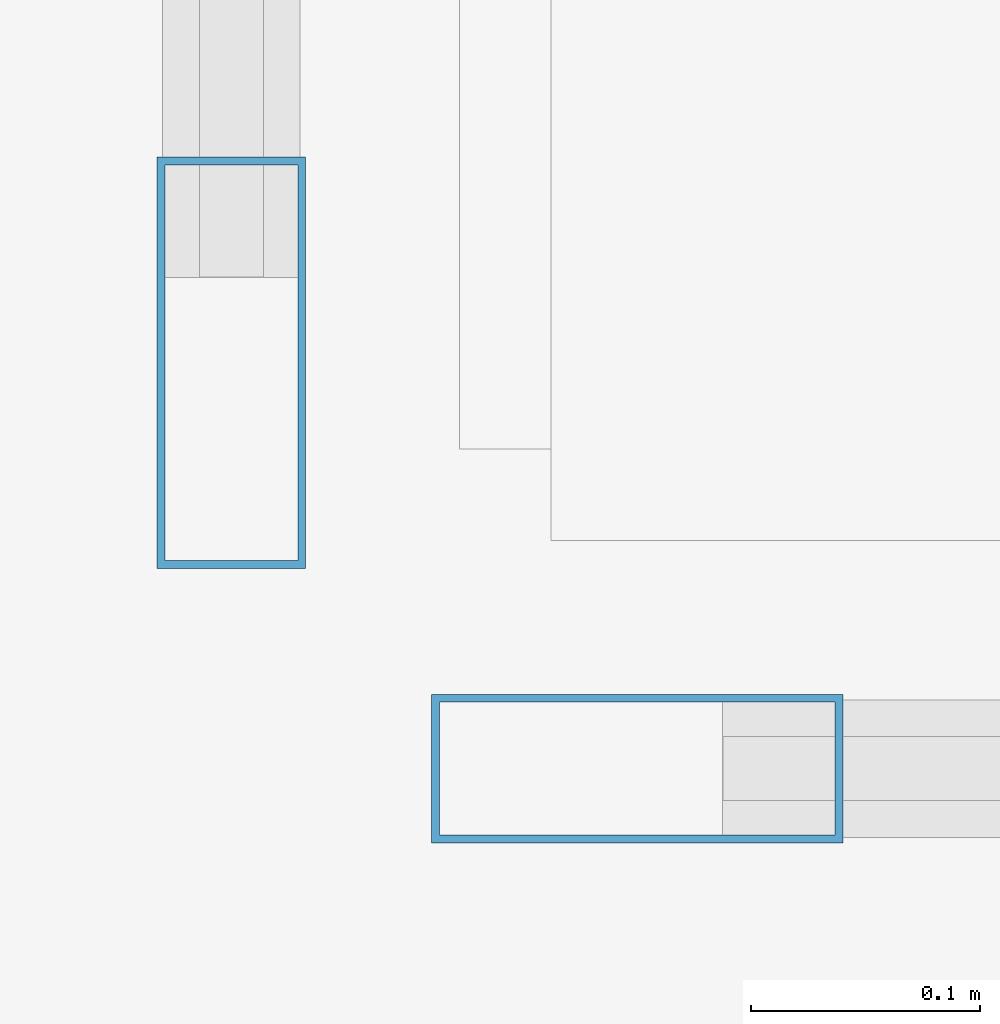
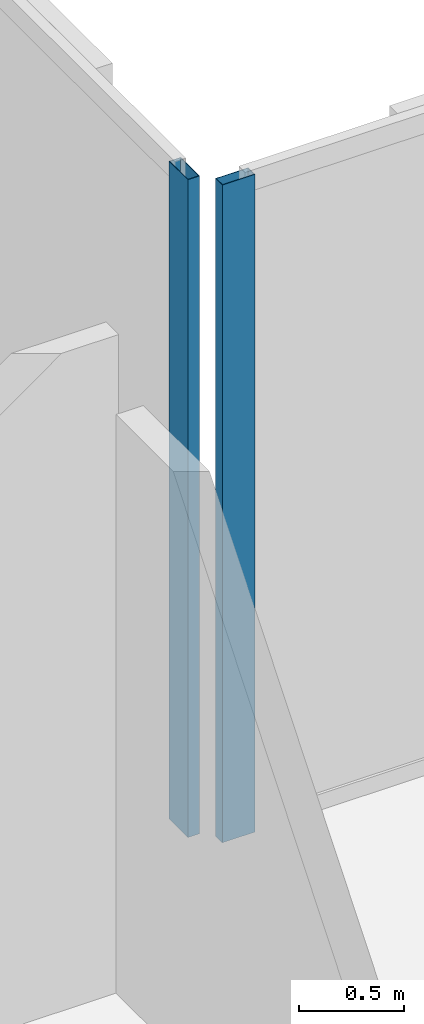
# One storey, part 19 of 29: 2 members, 2 elements without a shape of their own.
"""IFC4 building model written with IfcOpenShell, lengths in metres."""

import ifcopenshell
import ifcopenshell.guid

model = None  # the IFC model being written
_history = None  # IfcOwnerHistory: only IFC2X3 demands one
_inside = {}  # id of a spatial element -> (the spatial element, [elements in it])
_under = {}  # id of a project, library or spatial element -> (it, [spatial elements below it])
_declared = {}  # id of a project -> (the project, [libraries it declares])
_typed = {}  # id of a type object -> (the type object, [elements of that type])
_made_of = {}  # id of a material, layer set ... -> (it, [elements and type objects made of it])


def new_model(schema):
    """Start an empty IFC model of exactly this schema.

    Asked for "IFC4X3", IfcOpenShell would pick the latest addendum, in which some entities
    have other attributes; the version numbers below select the first issue.
    IFC2X3 requires an IfcOwnerHistory on every rooted entity: one is made here for all.
    """
    global model, _history
    if schema == "IFC4X3":
        model = ifcopenshell.file(schema_version=(4, 3, 0, 0))
    else:
        model = ifcopenshell.file(schema=schema)
    _inside.clear()
    _under.clear()
    _declared.clear()
    _typed.clear()
    _made_of.clear()
    _history = None
    if model.schema == "IFC2X3":
        org = make("IfcOrganization", Name="unknown")
        user = make(
            "IfcPersonAndOrganization",
            ThePerson=make("IfcPerson", FamilyName="unknown"),
            TheOrganization=org,
        )
        app = make(
            "IfcApplication",
            ApplicationDeveloper=org,
            Version="unknown",
            ApplicationFullName="unknown",
            ApplicationIdentifier="unknown",
        )
        _history = make(
            "IfcOwnerHistory",
            OwningUser=user,
            OwningApplication=app,
            ChangeAction="ADDED",
            CreationDate=0,
        )
    return model


def make(cls, **values):
    """One entity of the class cls with the attributes given. An attribute that is None is left unset."""
    return model.create_entity(
        cls, **{name: value for name, value in values.items() if value is not None}
    )


def rooted(cls, **values):
    """An entity with a GlobalId (a new one), such as an element, a storey or a relation."""
    return make(cls, GlobalId=ifcopenshell.guid.new(), OwnerHistory=_history, **values)


def si_unit(unit_type, name, prefix=None):
    """IfcSIUnit, for example si_unit("LENGTHUNIT", "METRE", prefix="MILLI")."""
    return make("IfcSIUnit", UnitType=unit_type, Prefix=prefix, Name=name)


def assignment(units):
    """IfcUnitAssignment: the units of a project."""
    return None if units is None else make("IfcUnitAssignment", Units=units)


def point(xyz):
    """IfcCartesianPoint."""
    return None if xyz is None else make("IfcCartesianPoint", Coordinates=xyz)


def direction(xyz):
    """IfcDirection."""
    return None if xyz is None else make("IfcDirection", DirectionRatios=xyz)


def frame(location, z_axis=None, x_axis=None):
    """IfcAxis2Placement3D, a coordinate frame: its origin and axes. An axis left out is left unset."""
    return make(
        "IfcAxis2Placement3D",
        Location=point(location),
        Axis=direction(z_axis),
        RefDirection=direction(x_axis),
    )


def frame_2d(location, x_axis=None):
    """IfcAxis2Placement2D, a coordinate frame in the plane: its origin and x axis."""
    return make(
        "IfcAxis2Placement2D", Location=point(location), RefDirection=direction(x_axis)
    )


def origin():
    """The frame at (0, 0, 0) with its axes left unset."""
    return frame((0.0, 0.0, 0.0))


def origin_2d():
    """The frame at (0, 0) in the plane with its x axis left unset."""
    return frame_2d((0.0, 0.0))


def place(relative_to, where):
    """IfcLocalPlacement: puts the frame where relative to a parent placement (None: the world)."""
    return make(
        "IfcLocalPlacement", PlacementRelTo=relative_to, RelativePlacement=where
    )


def context(
    kind, dimensions, precision=None, world=None, true_north=None, identifier=None
):
    """IfcGeometricRepresentationContext, for example the 3D "Model" context."""
    return make(
        "IfcGeometricRepresentationContext",
        ContextIdentifier=identifier,
        ContextType=kind,
        CoordinateSpaceDimension=dimensions,
        Precision=precision,
        WorldCoordinateSystem=world,
        TrueNorth=true_north,
    )


def subcontext(parent, identifier, kind, view, scale=None):
    """IfcGeometricRepresentationSubContext, for example "Body" below "Model"."""
    return make(
        "IfcGeometricRepresentationSubContext",
        ContextIdentifier=identifier,
        ContextType=kind,
        ParentContext=parent,
        TargetScale=scale,
        TargetView=view,
    )


def project(units=None, contexts=None):
    """IfcProject with its units and contexts."""
    return rooted(
        "IfcProject",
        Name="project",
        RepresentationContexts=contexts,
        UnitsInContext=assignment(units),
    )


def spatial(cls, under=None, at=None, **own):
    """A site, building, storey or space (cls), placed at a placement, below another one or the project."""
    s = rooted(cls, ObjectPlacement=at, **own)
    if under is not None:
        _under.setdefault(under.id(), (under, []))[1].append(s)
    return s


def profile(cls, at=None, kind="AREA", **sizes):
    """A parametric profile (cls). Its sizes go by their IFC names, for example OverallWidth=200.0."""
    return make(cls, ProfileType=kind, Position=at, **sizes)


def hollow_rectangle(**sizes):
    """IfcRectangleHollowProfileDef."""
    return profile("IfcRectangleHollowProfileDef", **sizes)


def extrude(swept, where, along, depth):
    """IfcExtrudedAreaSolid: the profile swept, set in the frame where, extruded along a direction by depth."""
    return make(
        "IfcExtrudedAreaSolid",
        SweptArea=swept,
        Position=where,
        ExtrudedDirection=direction(along),
        Depth=depth,
    )


def shape(context_of_items, identifier, shape_type, items):
    """IfcShapeRepresentation: the items that make up one representation, for example the "Body"."""
    return make(
        "IfcShapeRepresentation",
        ContextOfItems=context_of_items,
        RepresentationIdentifier=identifier,
        RepresentationType=shape_type,
        Items=items,
    )


def material(Name=None, Category=None):
    """IfcMaterial."""
    return make("IfcMaterial", Name=Name, Category=Category)


def layer(
    of_material, thickness, ventilated=None, Name=None, Category=None, Priority=None
):
    """IfcMaterialLayer: one layer of a wall or slab, of a material (None: an air gap)."""
    return make(
        "IfcMaterialLayer",
        Material=of_material,
        LayerThickness=thickness,
        IsVentilated=ventilated,
        Name=Name,
        Category=Category,
        Priority=Priority,
    )


def layer_set(layers, Name=None):
    """IfcMaterialLayerSet."""
    return make("IfcMaterialLayerSet", MaterialLayers=layers, LayerSetName=Name)


def material_profile(
    of_material, cross_section, Name=None, Category=None, Priority=None
):
    """IfcMaterialProfile: a cross section and its material."""
    return make(
        "IfcMaterialProfile",
        Name=Name,
        Material=of_material,
        Profile=cross_section,
        Priority=Priority,
        Category=Category,
    )


def profile_set(profiles, Name=None, composite=None):
    """IfcMaterialProfileSet."""
    return make(
        "IfcMaterialProfileSet",
        Name=Name,
        MaterialProfiles=profiles,
        CompositeProfile=composite,
    )


def made_of(thing, what):
    """Note that an element or type object is made of a material, layer set ...; save() writes the relation."""
    if what is not None:
        _made_of.setdefault(what.id(), (what, []))[1].append(thing)
    return thing


def type_object(cls, material=None, **own):
    """A type object (cls), such as IfcWallType, which elements share."""
    return made_of(rooted(cls, **own), material)


def element(
    cls,
    number,
    at=None,
    inside=None,
    cuts=None,
    type_object=None,
    material=None,
    context=None,
    identifier="Body",
    shape_type=None,
    held_by="IfcProductDefinitionShape",
    body=None,
    shapes=None,
    **own,
):
    """One element of the class cls, such as IfcWall. Its Tag is "e" and its number.

    at: its placement. inside: the storey or other place that contains it. cuts: it is an
    opening in that element (IfcRelVoidsElement). A single representation is given by context,
    identifier, shape_type and body (its items); several are given by shapes. held_by: the class
    of the entity that holds the representations. save() writes the other relations.
    """
    e = rooted(cls, Tag="e%d" % number, ObjectPlacement=at, **own)
    if body is not None:
        shapes = [shape(context, identifier, shape_type, body)]
    if shapes is not None:
        e.Representation = make(held_by, Representations=shapes)
    if inside is not None:
        _inside.setdefault(inside.id(), (inside, []))[1].append(e)
    if cuts is not None:
        rooted(
            "IfcRelVoidsElement", RelatingBuildingElement=cuts, RelatedOpeningElement=e
        )
    if type_object is not None:
        _typed.setdefault(type_object.id(), (type_object, []))[1].append(e)
    return made_of(e, material)


def aggregate(whole, parts):
    """IfcRelAggregates: a whole, such as a stair, and the parts it consists of."""
    return rooted("IfcRelAggregates", RelatingObject=whole, RelatedObjects=parts)


def save(model, path):
    """Write the relations noted so far, then the file.

    IfcRelAggregates (storeys below a building ...), IfcRelContainedInSpatialStructure (elements
    in a storey), IfcRelDefinesByType, IfcRelAssociatesMaterial and IfcRelDeclares: one each for
    every whole, place, type object, material and project.
    """
    for whole, parts in _under.values():
        aggregate(whole, parts)
    for where, things in _inside.values():
        rooted(
            "IfcRelContainedInSpatialStructure",
            RelatedElements=things,
            RelatingStructure=where,
        )
    for kind, things in _typed.values():
        rooted("IfcRelDefinesByType", RelatedObjects=things, RelatingType=kind)
    for what, things in _made_of.values():
        rooted("IfcRelAssociatesMaterial", RelatedObjects=things, RelatingMaterial=what)
    for by, libraries in _declared.values():
        rooted("IfcRelDeclares", RelatingContext=by, RelatedDefinitions=libraries)
    model.write(path)


model = new_model("IFC4")

# Units and contexts
model_context = context("Model", 3, precision=1e-05, world=origin(), true_north=direction((0.0, 1.0)))
body_context = subcontext(model_context, "Body", "Model", "MODEL_VIEW")
ifc_project = project(units=[si_unit("LENGTHUNIT", "METRE"), si_unit("AREAUNIT", "SQUARE_METRE"), si_unit("VOLUMEUNIT", "CUBIC_METRE"), si_unit("PLANEANGLEUNIT", "RADIAN"), si_unit("MASSUNIT", "GRAM", prefix="KILO")], contexts=[model_context])

# Site, building, storey
site_placement = place(None, origin())
site = spatial("IfcSite", under=ifc_project, at=site_placement, CompositionType="ELEMENT")
building_placement = place(site_placement, origin())
building = spatial("IfcBuilding", under=site, at=building_placement, Name="Nerrivon Quay Data Exchange", CompositionType="ELEMENT")
storey_placement = place(building_placement, frame((0.0, 0.0, 204.199951171875)))
storey = spatial("IfcBuildingStorey", under=building, at=storey_placement, Name="L48", CompositionType="ELEMENT", Elevation=204.199951171875)

# Curtain wall, member
ifc_material = material(Name="Anodised aluminium 6063-T6", Category="aluminium")
ifc_layer = layer(ifc_material, 0.195068359375)
ifc_layer_set = layer_set([ifc_layer], Name="Anodised aluminium 6063-T6")
curtain_wall_type = type_object("IfcCurtainWallType", Name="CW-SYS-06", PredefinedType="NOTDEFINED", material=ifc_layer_set)
curtain_wall_1_placement = place(storey_placement, origin())
curtain_wall_1 = element("IfcCurtainWall", 1, at=curtain_wall_1_placement, inside=storey, type_object=curtain_wall_type, Name="L48 Unitised Curtain Wall 11", PredefinedType="NOTDEFINED")
ifc_material_profile = material_profile(ifc_material, hollow_rectangle(XDim=0.06494140625, YDim=0.179931640625, WallThickness=0.00341796875, at=origin_2d()), Name="ALU-MULL-180x65")
ifc_profile_set = profile_set([ifc_material_profile], Name="Anodised aluminium 6063-T6")
member_type = type_object("IfcMemberType", Name="CWM-180x65", PredefinedType="MULLION", material=ifc_profile_set)
member_1_placement = place(storey_placement, frame((20.860107421875, 46.237548828125, 0.0), z_axis=(0.0, 0.0, 1.0), x_axis=(1.0, 0.0, 0.0)))
member_1 = element("IfcMember", 2, at=member_1_placement, type_object=member_type, Name="CW06 mullion 2", PredefinedType="MULLION", context=body_context, shape_type="SweptSolid", body=[
    extrude(hollow_rectangle(XDim=0.06494140625, YDim=0.179931640625, WallThickness=0.00341796875, at=origin_2d()), origin(), (0.0, 0.0, 1.0), 3.824951171875),
])
aggregate(curtain_wall_1, [member_1])

curtain_wall_2_placement = place(storey_placement, origin())
curtain_wall_2 = element("IfcCurtainWall", 3, at=curtain_wall_2_placement, inside=storey, type_object=curtain_wall_type, Name="L48 Unitised Curtain Wall 12", PredefinedType="NOTDEFINED")
member_2_placement = place(storey_placement, frame((21.03759765625, 46.06005859375, 0.0), z_axis=(0.0, 0.0, 1.0), x_axis=(0.0, 1.0, 0.0)))
member_2 = element("IfcMember", 4, at=member_2_placement, type_object=member_type, Name="CW06 mullion 1", PredefinedType="MULLION", context=body_context, shape_type="SweptSolid", body=[
    extrude(hollow_rectangle(XDim=0.06494140625, YDim=0.179931640625, WallThickness=0.00341796875, at=origin_2d()), origin(), (0.0, 0.0, 1.0), 3.824951171875),
])
aggregate(curtain_wall_2, [member_2])

save(model, "model.ifc")
